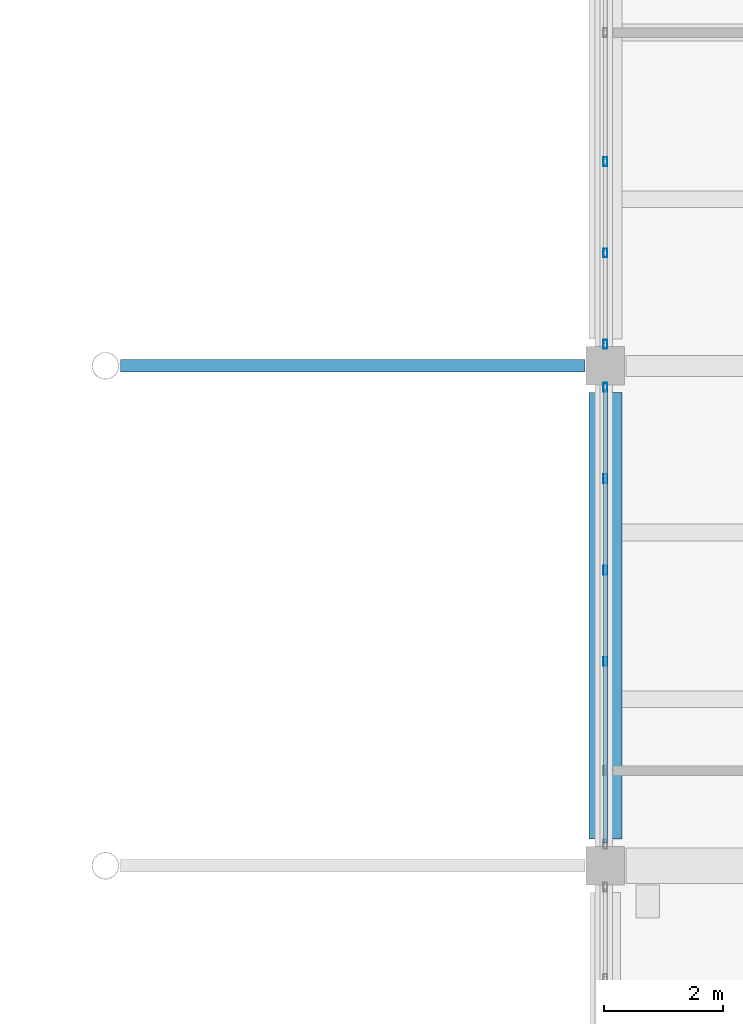
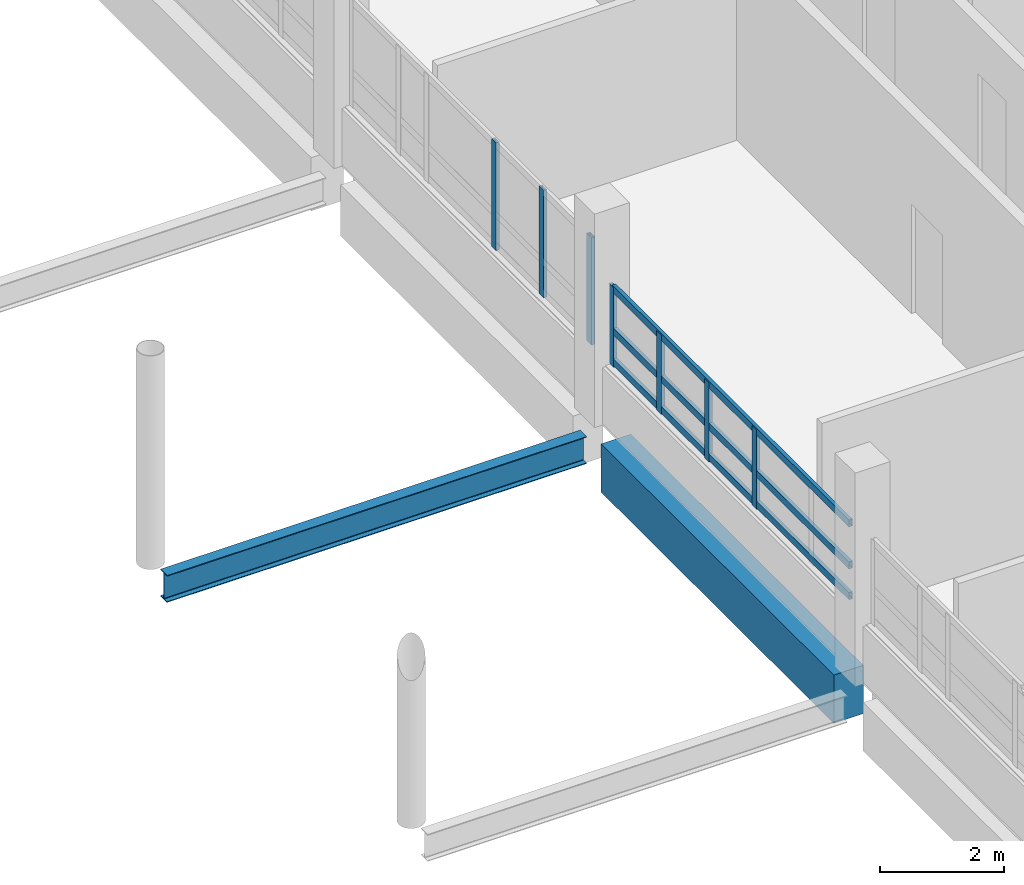
# One storey, part 47 of 101: 10 members, 2 beams, 2 elements without a shape of their own.
"""IFC4 building model written with IfcOpenShell, lengths in metres."""

from ifc_helpers import new_model, si_unit, direction, frame, origin, origin_2d, place, context, subcontext, project, spatial, rectangle, hollow_rectangle, i_section, extrude, material, layer, layer_set, material_profile, profile_set, type_object, element, aggregate, save


model = new_model("IFC4")

# Units and contexts
model_context = context("Model", 3, precision=1e-05, world=origin(), true_north=direction((0.0, 1.0)))
body_context = subcontext(model_context, "Body", "Model", "MODEL_VIEW")
ifc_project = project(units=[si_unit("LENGTHUNIT", "METRE"), si_unit("AREAUNIT", "SQUARE_METRE"), si_unit("VOLUMEUNIT", "CUBIC_METRE"), si_unit("PLANEANGLEUNIT", "RADIAN"), si_unit("MASSUNIT", "GRAM", prefix="KILO")], contexts=[model_context])

# Site, building, storey
site_placement = place(None, origin())
site = spatial("IfcSite", under=ifc_project, at=site_placement, CompositionType="ELEMENT")
building_placement = place(site_placement, origin())
building = spatial("IfcBuilding", under=site, at=building_placement, Name="Vireocrest Preparatory School", CompositionType="ELEMENT")
storey_placement = place(building_placement, frame((0.0, 0.0, 4.800048828125)))
storey = spatial("IfcBuildingStorey", under=building, at=storey_placement, Name="L01", CompositionType="ELEMENT", Elevation=4.800048828125)

# Curtain wall, members
ifc_material_1 = material(Name="Thermally broken aluminium EN AW-6063-T6", Category="aluminium")
ifc_layer = layer(ifc_material_1, 0.179931640625)
ifc_layer_set = layer_set([ifc_layer], Name="Thermally broken aluminium EN AW-6063-T6")
curtain_wall_type = type_object("IfcCurtainWallType", Name="Court Banded Curtain Wall 8400x3000", PredefinedType="USERDEFINED", material=ifc_layer_set)
curtain_wall_1_placement = place(storey_placement, origin())
curtain_wall_1 = element("IfcCurtainWall", 1, at=curtain_wall_1_placement, inside=storey, type_object=curtain_wall_type, Name="Curtain Wall CW02 CW_L01_CW02_0924_0609_060", ObjectType="CURTAIN WALL", PredefinedType="USERDEFINED")
ifc_material_profile_1 = material_profile(ifc_material_1, hollow_rectangle(XDim=0.06494140625, YDim=0.14990234375, WallThickness=0.00390625, at=origin_2d()), Name="ALU 65x150x4")
ifc_profile_set_1 = profile_set([ifc_material_profile_1], Name="Thermally broken aluminium EN AW-6063-T6")
member_type_1 = type_object("IfcMemberType", Name="CW Mullion 65x150x4", PredefinedType="MULLION", material=ifc_profile_set_1)
member_1_placement = place(storey_placement, frame((92.39990234375, 64.031982421875, 1.14990234375), z_axis=(0.0, 0.0, 1.0), x_axis=(1.0, 0.0, 0.0)))
member_1 = element("IfcMember", 2, at=member_1_placement, type_object=member_type_1, Name="CW Mullion ML1 CW_L01_CW02_0924_0609_060-3", PredefinedType="MULLION", context=body_context, shape_type="SweptSolid", body=[
    extrude(hollow_rectangle(XDim=0.06494140625, YDim=0.14990234375, WallThickness=0.00390625, at=origin_2d()), origin(), (0.0, 0.0, 1.0), 1.56494140625),
])
member_2_placement = place(storey_placement, frame((92.39990234375, 65.568115234375, 1.14990234375), z_axis=(0.0, 0.0, 1.0), x_axis=(1.0, 0.0, 0.0)))
member_2 = element("IfcMember", 3, at=member_2_placement, type_object=member_type_1, Name="CW Mullion ML1 CW_L01_CW02_0924_0609_060-4", PredefinedType="MULLION", context=body_context, shape_type="SweptSolid", body=[
    extrude(hollow_rectangle(XDim=0.06494140625, YDim=0.14990234375, WallThickness=0.00390625, at=origin_2d()), origin(), (0.0, 0.0, 1.0), 1.56494140625),
])
member_3_placement = place(storey_placement, frame((92.39990234375, 67.10400390625, 1.14990234375), z_axis=(0.0, 0.0, 1.0), x_axis=(1.0, 0.0, 0.0)))
member_3 = element("IfcMember", 4, at=member_3_placement, type_object=member_type_1, Name="CW Mullion ML1 CW_L01_CW02_0924_0609_060-5", PredefinedType="MULLION", context=body_context, shape_type="SweptSolid", body=[
    extrude(hollow_rectangle(XDim=0.06494140625, YDim=0.14990234375, WallThickness=0.00390625, at=origin_2d()), origin(), (0.0, 0.0, 1.0), 1.56494140625),
])
member_4_placement = place(storey_placement, frame((92.39990234375, 68.639892578125, 1.14990234375), z_axis=(0.0, 0.0, 1.0), x_axis=(1.0, 0.0, 0.0)))
member_4 = element("IfcMember", 5, at=member_4_placement, type_object=member_type_1, Name="CW Mullion ML1 CW_L01_CW02_0924_0609_060-6", PredefinedType="MULLION", context=body_context, shape_type="SweptSolid", body=[
    extrude(hollow_rectangle(XDim=0.06494140625, YDim=0.14990234375, WallThickness=0.00390625, at=origin_2d()), origin(), (0.0, 0.0, 1.0), 1.56494140625),
])

curtain_wall_2_placement = place(storey_placement, origin())
curtain_wall_2 = element("IfcCurtainWall", 6, at=curtain_wall_2_placement, inside=storey, type_object=curtain_wall_type, Name="Curtain Wall CW02 CW_L01_CW02_0924_0693_060", ObjectType="CURTAIN WALL", PredefinedType="USERDEFINED")
member_5_placement = place(storey_placement, frame((92.39990234375, 69.360107421875, 1.14990234375), z_axis=(0.0, 0.0, 1.0), x_axis=(1.0, 0.0, 0.0)))
member_5 = element("IfcMember", 7, at=member_5_placement, type_object=member_type_1, Name="CW Mullion ML1 CW_L01_CW02_0924_0693_060-1", PredefinedType="MULLION", context=body_context, shape_type="SweptSolid", body=[
    extrude(hollow_rectangle(XDim=0.06494140625, YDim=0.14990234375, WallThickness=0.00390625, at=origin_2d()), origin(), (0.0, 0.0, 1.0), 2.114990234375),
])
member_6_placement = place(storey_placement, frame((92.39990234375, 70.89599609375, 1.14990234375), z_axis=(0.0, 0.0, 1.0), x_axis=(1.0, 0.0, 0.0)))
member_6 = element("IfcMember", 8, at=member_6_placement, type_object=member_type_1, Name="CW Mullion ML1 CW_L01_CW02_0924_0693_060-2", PredefinedType="MULLION", context=body_context, shape_type="SweptSolid", body=[
    extrude(hollow_rectangle(XDim=0.06494140625, YDim=0.14990234375, WallThickness=0.00390625, at=origin_2d()), origin(), (0.0, 0.0, 1.0), 2.114990234375),
])
member_7_placement = place(storey_placement, frame((92.39990234375, 72.431884765625, 1.14990234375), z_axis=(0.0, 0.0, 1.0), x_axis=(1.0, 0.0, 0.0)))
member_7 = element("IfcMember", 9, at=member_7_placement, type_object=member_type_1, Name="CW Mullion ML1 CW_L01_CW02_0924_0693_060-3", PredefinedType="MULLION", context=body_context, shape_type="SweptSolid", body=[
    extrude(hollow_rectangle(XDim=0.06494140625, YDim=0.14990234375, WallThickness=0.00390625, at=origin_2d()), origin(), (0.0, 0.0, 1.0), 2.114990234375),
])
aggregate(curtain_wall_2, [member_5, member_6, member_7])

# Member
ifc_material_profile_2 = material_profile(ifc_material_1, hollow_rectangle(XDim=0.06494140625, YDim=0.139892578125, WallThickness=0.00390625, at=origin_2d()), Name="ALU 65x140x4")
ifc_profile_set_2 = profile_set([ifc_material_profile_2], Name="Thermally broken aluminium EN AW-6063-T6")
member_type_2 = type_object("IfcMemberType", Name="CW Transom 65x140x4", PredefinedType="USERDEFINED", material=ifc_profile_set_2)
member_8_placement = place(storey_placement, frame((92.39990234375, 60.985107421875, 1.244873046875), z_axis=(0.0, 1.0, 0.0), x_axis=(-1.0, 0.0, 0.0)))
member_8 = element("IfcMember", 10, at=member_8_placement, type_object=member_type_2, Name="CW Transom TR1 CW_L01_CW02_0924_0609_060-1", ObjectType="TRANSOM", PredefinedType="USERDEFINED", context=body_context, shape_type="SweptSolid", body=[
    extrude(hollow_rectangle(XDim=0.06494140625, YDim=0.139892578125, WallThickness=0.00390625, at=origin_2d()), origin(), (0.0, 0.0, 1.0), 7.6298828125),
])

member_9_placement = place(storey_placement, frame((92.39990234375, 60.985107421875, 1.849853515625), z_axis=(0.0, 1.0, 0.0), x_axis=(-1.0, 0.0, 0.0)))
member_9 = element("IfcMember", 11, at=member_9_placement, type_object=member_type_2, Name="CW Transom TR1 CW_L01_CW02_0924_0609_060-2", ObjectType="TRANSOM", PredefinedType="USERDEFINED", context=body_context, shape_type="SweptSolid", body=[
    extrude(hollow_rectangle(XDim=0.06494140625, YDim=0.139892578125, WallThickness=0.00390625, at=origin_2d()), origin(), (0.0, 0.0, 1.0), 7.6298828125),
])

member_10_placement = place(storey_placement, frame((92.39990234375, 60.985107421875, 2.675048828125), z_axis=(0.0, 1.0, 0.0), x_axis=(-1.0, 0.0, 0.0)))
member_10 = element("IfcMember", 12, at=member_10_placement, type_object=member_type_2, Name="CW Transom TR1 CW_L01_CW02_0924_0609_060-3", ObjectType="TRANSOM", PredefinedType="USERDEFINED", context=body_context, shape_type="SweptSolid", body=[
    extrude(hollow_rectangle(XDim=0.06494140625, YDim=0.139892578125, WallThickness=0.00390625, at=origin_2d()), origin(), (0.0, 0.0, 1.0), 7.6298828125),
])

aggregate(curtain_wall_1, [member_1, member_2, member_3, member_4, member_8, member_9, member_10])

# Beams
ifc_material_2 = material(Name="Structural steel ASTM A992 Grade 50", Category="steel")
ifc_material_profile_3 = material_profile(ifc_material_2, i_section(OverallWidth=0.208984375, OverallDepth=0.532958984375, WebThickness=0.01025390625, FlangeThickness=0.015625, FilletRadius=0.014892578125, at=origin_2d()), Name="W21X62")
ifc_profile_set_3 = profile_set([ifc_material_profile_3], Name="Structural steel ASTM A992 Grade 50")
beam_type_1 = type_object("IfcBeamType", Name="Court Tie Girder W21X62", PredefinedType="BEAM", material=ifc_profile_set_3)
beam_1_placement = place(storey_placement, frame((84.2490234375, 69.0, -0.566650390625), z_axis=(1.0, 0.0, 0.0), x_axis=(0.0, 1.0, 0.0)))
element("IfcBeam", 13, at=beam_1_placement, inside=storey, type_object=beam_type_1, Name="Court Trunk Lateral Tie Girder SB5 E6 L01", PredefinedType="BEAM", context=body_context, shape_type="SweptSolid", body=[
    extrude(i_section(OverallWidth=0.208984375, OverallDepth=0.532958984375, WebThickness=0.01025390625, FlangeThickness=0.015625, FilletRadius=0.014892578125, at=origin_2d()), origin(), (0.0, 0.0, 1.0), 7.805908203125),
])
ifc_material_3 = material(Name="Concrete 40 MPa", Category="concrete")
ifc_material_profile_4 = material_profile(ifc_material_3, rectangle(XDim=0.550048828125, YDim=0.949951171875, at=origin_2d()), Name="RC 550x950")
ifc_profile_set_4 = profile_set([ifc_material_profile_4], Name="Concrete 40 MPa")
beam_type_2 = type_object("IfcBeamType", Name="RC Setback Edge Girder 550x950", PredefinedType="BEAM", material=ifc_profile_set_4)
beam_2_placement = place(storey_placement, frame((92.39990234375, 61.050048828125, -0.735107421875), z_axis=(0.0, 1.0, 0.0), x_axis=(-1.0, 0.0, 0.0)))
element("IfcBeam", 14, at=beam_2_placement, inside=storey, type_object=beam_type_2, Name="Primary Girder B17 L01-0442", PredefinedType="BEAM", context=body_context, shape_type="SweptSolid", body=[
    extrude(rectangle(XDim=0.550048828125, YDim=0.949951171875, at=origin_2d()), origin(), (0.0, 0.0, 1.0), 7.5),
])

save(model, "model.ifc")
